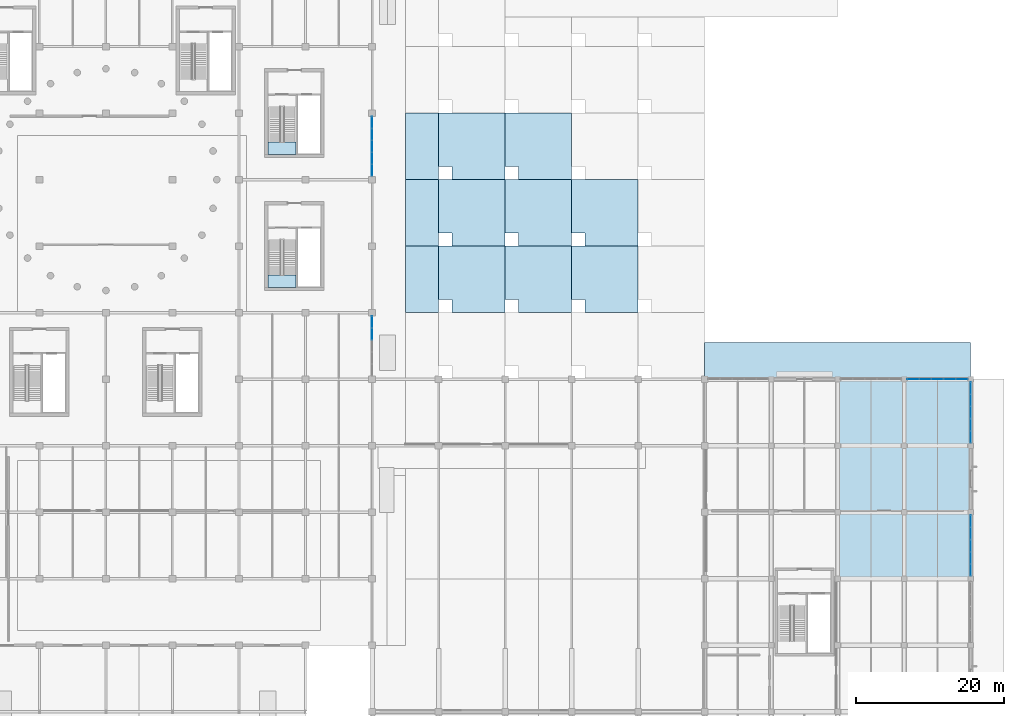
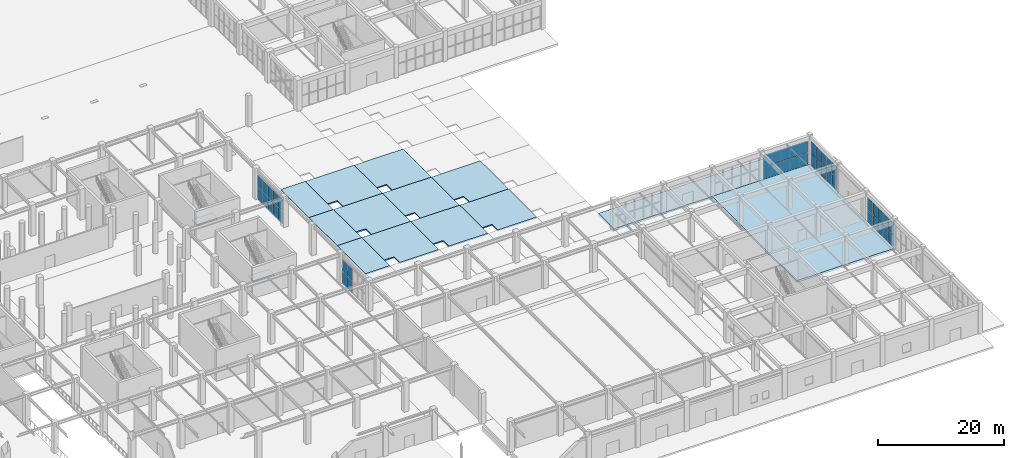
# One storey, part 55 of 91: 44 plates, 15 slabs, 7 elements without a shape of their own.
"""IFC4 building model written with IfcOpenShell, lengths in metres."""

import ifcopenshell
import ifcopenshell.guid

model = None  # the IFC model being written
_history = None  # IfcOwnerHistory: only IFC2X3 demands one
_inside = {}  # id of a spatial element -> (the spatial element, [elements in it])
_under = {}  # id of a project, library or spatial element -> (it, [spatial elements below it])
_declared = {}  # id of a project -> (the project, [libraries it declares])
_typed = {}  # id of a type object -> (the type object, [elements of that type])
_made_of = {}  # id of a material, layer set ... -> (it, [elements and type objects made of it])


def new_model(schema):
    """Start an empty IFC model of exactly this schema.

    Asked for "IFC4X3", IfcOpenShell would pick the latest addendum, in which some entities
    have other attributes; the version numbers below select the first issue.
    IFC2X3 requires an IfcOwnerHistory on every rooted entity: one is made here for all.
    """
    global model, _history
    if schema == "IFC4X3":
        model = ifcopenshell.file(schema_version=(4, 3, 0, 0))
    else:
        model = ifcopenshell.file(schema=schema)
    _inside.clear()
    _under.clear()
    _declared.clear()
    _typed.clear()
    _made_of.clear()
    _history = None
    if model.schema == "IFC2X3":
        org = make("IfcOrganization", Name="unknown")
        user = make(
            "IfcPersonAndOrganization",
            ThePerson=make("IfcPerson", FamilyName="unknown"),
            TheOrganization=org,
        )
        app = make(
            "IfcApplication",
            ApplicationDeveloper=org,
            Version="unknown",
            ApplicationFullName="unknown",
            ApplicationIdentifier="unknown",
        )
        _history = make(
            "IfcOwnerHistory",
            OwningUser=user,
            OwningApplication=app,
            ChangeAction="ADDED",
            CreationDate=0,
        )
    return model


def make(cls, **values):
    """One entity of the class cls with the attributes given. An attribute that is None is left unset."""
    return model.create_entity(
        cls, **{name: value for name, value in values.items() if value is not None}
    )


def rooted(cls, **values):
    """An entity with a GlobalId (a new one), such as an element, a storey or a relation."""
    return make(cls, GlobalId=ifcopenshell.guid.new(), OwnerHistory=_history, **values)


def si_unit(unit_type, name, prefix=None):
    """IfcSIUnit, for example si_unit("LENGTHUNIT", "METRE", prefix="MILLI")."""
    return make("IfcSIUnit", UnitType=unit_type, Prefix=prefix, Name=name)


def assignment(units):
    """IfcUnitAssignment: the units of a project."""
    return None if units is None else make("IfcUnitAssignment", Units=units)


def point(xyz):
    """IfcCartesianPoint."""
    return None if xyz is None else make("IfcCartesianPoint", Coordinates=xyz)


def direction(xyz):
    """IfcDirection."""
    return None if xyz is None else make("IfcDirection", DirectionRatios=xyz)


def frame(location, z_axis=None, x_axis=None):
    """IfcAxis2Placement3D, a coordinate frame: its origin and axes. An axis left out is left unset."""
    return make(
        "IfcAxis2Placement3D",
        Location=point(location),
        Axis=direction(z_axis),
        RefDirection=direction(x_axis),
    )


def frame_2d(location, x_axis=None):
    """IfcAxis2Placement2D, a coordinate frame in the plane: its origin and x axis."""
    return make(
        "IfcAxis2Placement2D", Location=point(location), RefDirection=direction(x_axis)
    )


def origin():
    """The frame at (0, 0, 0) with its axes left unset."""
    return frame((0.0, 0.0, 0.0))


def origin_2d():
    """The frame at (0, 0) in the plane with its x axis left unset."""
    return frame_2d((0.0, 0.0))


def place(relative_to, where):
    """IfcLocalPlacement: puts the frame where relative to a parent placement (None: the world)."""
    return make(
        "IfcLocalPlacement", PlacementRelTo=relative_to, RelativePlacement=where
    )


def context(
    kind, dimensions, precision=None, world=None, true_north=None, identifier=None
):
    """IfcGeometricRepresentationContext, for example the 3D "Model" context."""
    return make(
        "IfcGeometricRepresentationContext",
        ContextIdentifier=identifier,
        ContextType=kind,
        CoordinateSpaceDimension=dimensions,
        Precision=precision,
        WorldCoordinateSystem=world,
        TrueNorth=true_north,
    )


def subcontext(parent, identifier, kind, view, scale=None):
    """IfcGeometricRepresentationSubContext, for example "Body" below "Model"."""
    return make(
        "IfcGeometricRepresentationSubContext",
        ContextIdentifier=identifier,
        ContextType=kind,
        ParentContext=parent,
        TargetScale=scale,
        TargetView=view,
    )


def project(units=None, contexts=None):
    """IfcProject with its units and contexts."""
    return rooted(
        "IfcProject",
        Name="project",
        RepresentationContexts=contexts,
        UnitsInContext=assignment(units),
    )


def spatial(cls, under=None, at=None, **own):
    """A site, building, storey or space (cls), placed at a placement, below another one or the project."""
    s = rooted(cls, ObjectPlacement=at, **own)
    if under is not None:
        _under.setdefault(under.id(), (under, []))[1].append(s)
    return s


def polyline(points):
    """IfcPolyline through the points."""
    return make("IfcPolyline", Points=[point(p) for p in points])


def profile(cls, at=None, kind="AREA", **sizes):
    """A parametric profile (cls). Its sizes go by their IFC names, for example OverallWidth=200.0."""
    return make(cls, ProfileType=kind, Position=at, **sizes)


def rectangle(**sizes):
    """IfcRectangleProfileDef."""
    return profile("IfcRectangleProfileDef", **sizes)


def outline(outer, holes=None, kind="AREA"):
    """IfcArbitraryClosedProfileDef: a profile drawn as a closed curve; with holes, ...WithVoids."""
    if holes is None:
        return make("IfcArbitraryClosedProfileDef", ProfileType=kind, OuterCurve=outer)
    return make(
        "IfcArbitraryProfileDefWithVoids",
        ProfileType=kind,
        OuterCurve=outer,
        InnerCurves=holes,
    )


def extrude(swept, where, along, depth):
    """IfcExtrudedAreaSolid: the profile swept, set in the frame where, extruded along a direction by depth."""
    return make(
        "IfcExtrudedAreaSolid",
        SweptArea=swept,
        Position=where,
        ExtrudedDirection=direction(along),
        Depth=depth,
    )


def shape(context_of_items, identifier, shape_type, items):
    """IfcShapeRepresentation: the items that make up one representation, for example the "Body"."""
    return make(
        "IfcShapeRepresentation",
        ContextOfItems=context_of_items,
        RepresentationIdentifier=identifier,
        RepresentationType=shape_type,
        Items=items,
    )


def material(Name=None, Category=None):
    """IfcMaterial."""
    return make("IfcMaterial", Name=Name, Category=Category)


def layer(
    of_material, thickness, ventilated=None, Name=None, Category=None, Priority=None
):
    """IfcMaterialLayer: one layer of a wall or slab, of a material (None: an air gap)."""
    return make(
        "IfcMaterialLayer",
        Material=of_material,
        LayerThickness=thickness,
        IsVentilated=ventilated,
        Name=Name,
        Category=Category,
        Priority=Priority,
    )


def layer_set(layers, Name=None):
    """IfcMaterialLayerSet."""
    return make("IfcMaterialLayerSet", MaterialLayers=layers, LayerSetName=Name)


def made_of(thing, what):
    """Note that an element or type object is made of a material, layer set ...; save() writes the relation."""
    if what is not None:
        _made_of.setdefault(what.id(), (what, []))[1].append(thing)
    return thing


def type_object(cls, material=None, **own):
    """A type object (cls), such as IfcWallType, which elements share."""
    return made_of(rooted(cls, **own), material)


def element(
    cls,
    number,
    at=None,
    inside=None,
    cuts=None,
    type_object=None,
    material=None,
    context=None,
    identifier="Body",
    shape_type=None,
    held_by="IfcProductDefinitionShape",
    body=None,
    shapes=None,
    **own,
):
    """One element of the class cls, such as IfcWall. Its Tag is "e" and its number.

    at: its placement. inside: the storey or other place that contains it. cuts: it is an
    opening in that element (IfcRelVoidsElement). A single representation is given by context,
    identifier, shape_type and body (its items); several are given by shapes. held_by: the class
    of the entity that holds the representations. save() writes the other relations.
    """
    e = rooted(cls, Tag="e%d" % number, ObjectPlacement=at, **own)
    if body is not None:
        shapes = [shape(context, identifier, shape_type, body)]
    if shapes is not None:
        e.Representation = make(held_by, Representations=shapes)
    if inside is not None:
        _inside.setdefault(inside.id(), (inside, []))[1].append(e)
    if cuts is not None:
        rooted(
            "IfcRelVoidsElement", RelatingBuildingElement=cuts, RelatedOpeningElement=e
        )
    if type_object is not None:
        _typed.setdefault(type_object.id(), (type_object, []))[1].append(e)
    return made_of(e, material)


def aggregate(whole, parts):
    """IfcRelAggregates: a whole, such as a stair, and the parts it consists of."""
    return rooted("IfcRelAggregates", RelatingObject=whole, RelatedObjects=parts)


def save(model, path):
    """Write the relations noted so far, then the file.

    IfcRelAggregates (storeys below a building ...), IfcRelContainedInSpatialStructure (elements
    in a storey), IfcRelDefinesByType, IfcRelAssociatesMaterial and IfcRelDeclares: one each for
    every whole, place, type object, material and project.
    """
    for whole, parts in _under.values():
        aggregate(whole, parts)
    for where, things in _inside.values():
        rooted(
            "IfcRelContainedInSpatialStructure",
            RelatedElements=things,
            RelatingStructure=where,
        )
    for kind, things in _typed.values():
        rooted("IfcRelDefinesByType", RelatedObjects=things, RelatingType=kind)
    for what, things in _made_of.values():
        rooted("IfcRelAssociatesMaterial", RelatedObjects=things, RelatingMaterial=what)
    for by, libraries in _declared.values():
        rooted("IfcRelDeclares", RelatingContext=by, RelatedDefinitions=libraries)
    model.write(path)


model = new_model("IFC4")

# Units and contexts
model_context = context("Model", 3, precision=1e-05, world=origin(), true_north=direction((0.0, 1.0)))
body_context = subcontext(model_context, "Body", "Model", "MODEL_VIEW")
ifc_project = project(units=[si_unit("LENGTHUNIT", "METRE"), si_unit("AREAUNIT", "SQUARE_METRE"), si_unit("VOLUMEUNIT", "CUBIC_METRE"), si_unit("PLANEANGLEUNIT", "RADIAN"), si_unit("MASSUNIT", "GRAM", prefix="KILO")], contexts=[model_context])

# Site, building, storey
site_placement = place(None, origin())
site = spatial("IfcSite", under=ifc_project, at=site_placement, CompositionType="ELEMENT")
building_placement = place(site_placement, origin())
building = spatial("IfcBuilding", under=site, at=building_placement, Name="Dornveld Trade and Exhibition Forum", CompositionType="ELEMENT")
storey_placement = place(building_placement, origin())
storey = spatial("IfcBuildingStorey", under=building, at=storey_placement, Name="L00", CompositionType="ELEMENT", Elevation=0.0)

# Curtain wall, plates
ifc_material_1 = material(Name="Dark-bronze anodised aluminium and low-E glass", Category="aluminium")
ifc_layer_1 = layer(ifc_material_1, 0.154052734375)
ifc_layer_set_1 = layer_set([ifc_layer_1], Name="Dark-bronze anodised aluminium and low-E glass")
curtain_wall_type_1 = type_object("IfcCurtainWallType", Name="CW-SYS-04", PredefinedType="USERDEFINED", material=ifc_layer_set_1)
curtain_wall_1_placement = place(storey_placement, origin())
curtain_wall_1 = element("IfcCurtainWall", 1, at=curtain_wall_1_placement, inside=storey, type_object=curtain_wall_type_1, Name="L00 unitised curtain wall 58", ObjectType="UNITISED_CURTAIN_WALL", PredefinedType="USERDEFINED")
ifc_material_2 = material(Name="Double-glazed low-E solar control glass", Category="glass")
ifc_layer_2 = layer(ifc_material_2, 0.028076171875)
ifc_layer_set_2 = layer_set([ifc_layer_2], Name="Double-glazed low-E solar control glass")
plate_type_1 = type_object("IfcPlateType", Name="CW-PNL-02", PredefinedType="CURTAIN_PANEL", material=ifc_layer_set_2)
plate_1_placement = place(storey_placement, frame((153.0, 60.12158203125, 0.055908203125), z_axis=(0.0, 0.0, 1.0), x_axis=(0.0, 1.0, 0.0)))
plate_1 = element("IfcPlate", 2, at=plate_1_placement, type_object=plate_type_1, Name="CW-04 panel 4.1", PredefinedType="CURTAIN_PANEL", context=body_context, shape_type="SweptSolid", body=[
    extrude(rectangle(XDim=1.5615234375, YDim=0.028076171875, at=origin_2d()), origin(), (0.0, 0.0, 1.0), 2.2919921875),
])
plate_2_placement = place(storey_placement, frame((153.0, 60.12158203125, 2.407958984375), z_axis=(0.0, 0.0, 1.0), x_axis=(0.0, 1.0, 0.0)))
plate_2 = element("IfcPlate", 3, at=plate_2_placement, type_object=plate_type_1, Name="CW-04 panel 4.2", PredefinedType="CURTAIN_PANEL", context=body_context, shape_type="SweptSolid", body=[
    extrude(rectangle(XDim=1.5615234375, YDim=0.028076171875, at=origin_2d()), origin(), (0.0, 0.0, 1.0), 2.2919921875),
])
plate_3_placement = place(storey_placement, frame((153.0, 61.728271484375, 0.055908203125), z_axis=(0.0, 0.0, 1.0), x_axis=(0.0, 1.0, 0.0)))
plate_3 = element("IfcPlate", 4, at=plate_3_placement, type_object=plate_type_1, Name="CW-04 panel 5.1", PredefinedType="CURTAIN_PANEL", context=body_context, shape_type="SweptSolid", body=[
    extrude(rectangle(XDim=1.531494140625, YDim=0.028076171875, at=origin_2d()), origin(), (0.0, 0.0, 1.0), 2.2919921875),
])
plate_4_placement = place(storey_placement, frame((153.0, 61.728271484375, 2.407958984375), z_axis=(0.0, 0.0, 1.0), x_axis=(0.0, 1.0, 0.0)))
plate_4 = element("IfcPlate", 5, at=plate_4_placement, type_object=plate_type_1, Name="CW-04 panel 5.2", PredefinedType="CURTAIN_PANEL", context=body_context, shape_type="SweptSolid", body=[
    extrude(rectangle(XDim=1.531494140625, YDim=0.028076171875, at=origin_2d()), origin(), (0.0, 0.0, 1.0), 2.2919921875),
])
aggregate(curtain_wall_1, [plate_1, plate_2, plate_3, plate_4])

ifc_material_3 = material(Name="Dark-bronze anodised aluminium and low-E glass", Category="aluminium")
ifc_layer_3 = layer(ifc_material_3, 0.156982421875)
ifc_layer_set_3 = layer_set([ifc_layer_3], Name="Dark-bronze anodised aluminium and low-E glass")
curtain_wall_type_2 = type_object("IfcCurtainWallType", Name="CW-SYS-05", PredefinedType="USERDEFINED", material=ifc_layer_set_3)
curtain_wall_2_placement = place(storey_placement, origin())
curtain_wall_2 = element("IfcCurtainWall", 6, at=curtain_wall_2_placement, inside=storey, type_object=curtain_wall_type_2, Name="L00 unitised curtain wall 59", ObjectType="UNITISED_CURTAIN_WALL", PredefinedType="USERDEFINED")
ifc_material_4 = material(Name="Double-glazed low-E solar control glass", Category="glass")
ifc_layer_4 = layer(ifc_material_4, 0.030029296875)
ifc_layer_set_4 = layer_set([ifc_layer_4], Name="Double-glazed low-E solar control glass")
plate_type_2 = type_object("IfcPlateType", Name="CW-PNL-03", PredefinedType="CURTAIN_PANEL", material=ifc_layer_set_4)
plate_5_placement = place(storey_placement, frame((153.0, 82.271728515625, 0.055908203125), z_axis=(0.0, 0.0, 1.0), x_axis=(0.0, 1.0, 0.0)))
plate_5 = element("IfcPlate", 7, at=plate_5_placement, type_object=plate_type_2, Name="CW-05 panel 1.1", PredefinedType="CURTAIN_PANEL", context=body_context, shape_type="SweptSolid", body=[
    extrude(rectangle(XDim=1.531494140625, YDim=0.030029296875, at=origin_2d()), origin(), (0.0, 0.0, 1.0), 2.2919921875),
])
plate_6_placement = place(storey_placement, frame((153.0, 82.271728515625, 2.407958984375), z_axis=(0.0, 0.0, 1.0), x_axis=(0.0, 1.0, 0.0)))
plate_6 = element("IfcPlate", 8, at=plate_6_placement, type_object=plate_type_2, Name="CW-05 panel 1.2", PredefinedType="CURTAIN_PANEL", context=body_context, shape_type="SweptSolid", body=[
    extrude(rectangle(XDim=1.531494140625, YDim=0.030029296875, at=origin_2d()), origin(), (0.0, 0.0, 1.0), 2.2919921875),
])
plate_7_placement = place(storey_placement, frame((153.0, 83.87841796875, 0.055908203125), z_axis=(0.0, 0.0, 1.0), x_axis=(0.0, 1.0, 0.0)))
plate_7 = element("IfcPlate", 9, at=plate_7_placement, type_object=plate_type_2, Name="CW-05 panel 2.1", PredefinedType="CURTAIN_PANEL", context=body_context, shape_type="SweptSolid", body=[
    extrude(rectangle(XDim=1.5615234375, YDim=0.030029296875, at=origin_2d()), origin(), (0.0, 0.0, 1.0), 2.2919921875),
])
plate_8_placement = place(storey_placement, frame((153.0, 83.87841796875, 2.407958984375), z_axis=(0.0, 0.0, 1.0), x_axis=(0.0, 1.0, 0.0)))
plate_8 = element("IfcPlate", 10, at=plate_8_placement, type_object=plate_type_2, Name="CW-05 panel 2.2", PredefinedType="CURTAIN_PANEL", context=body_context, shape_type="SweptSolid", body=[
    extrude(rectangle(XDim=1.5615234375, YDim=0.030029296875, at=origin_2d()), origin(), (0.0, 0.0, 1.0), 2.2919921875),
])
plate_9_placement = place(storey_placement, frame((153.0, 85.5, 0.055908203125), z_axis=(0.0, 0.0, 1.0), x_axis=(0.0, 1.0, 0.0)))
plate_9 = element("IfcPlate", 11, at=plate_9_placement, type_object=plate_type_2, Name="CW-05 panel 3.1", PredefinedType="CURTAIN_PANEL", context=body_context, shape_type="SweptSolid", body=[
    extrude(rectangle(XDim=1.5615234375, YDim=0.030029296875, at=origin_2d()), origin(), (0.0, 0.0, 1.0), 2.2919921875),
])
plate_10_placement = place(storey_placement, frame((153.0, 85.5, 2.407958984375), z_axis=(0.0, 0.0, 1.0), x_axis=(0.0, 1.0, 0.0)))
plate_10 = element("IfcPlate", 12, at=plate_10_placement, type_object=plate_type_2, Name="CW-05 panel 3.2", PredefinedType="CURTAIN_PANEL", context=body_context, shape_type="SweptSolid", body=[
    extrude(rectangle(XDim=1.5615234375, YDim=0.030029296875, at=origin_2d()), origin(), (0.0, 0.0, 1.0), 2.2919921875),
])
plate_11_placement = place(storey_placement, frame((153.0, 87.12158203125, 0.055908203125), z_axis=(0.0, 0.0, 1.0), x_axis=(0.0, 1.0, 0.0)))
plate_11 = element("IfcPlate", 13, at=plate_11_placement, type_object=plate_type_2, Name="CW-05 panel 4.1", PredefinedType="CURTAIN_PANEL", context=body_context, shape_type="SweptSolid", body=[
    extrude(rectangle(XDim=1.5615234375, YDim=0.030029296875, at=origin_2d()), origin(), (0.0, 0.0, 1.0), 2.2919921875),
])
plate_12_placement = place(storey_placement, frame((153.0, 87.12158203125, 2.407958984375), z_axis=(0.0, 0.0, 1.0), x_axis=(0.0, 1.0, 0.0)))
plate_12 = element("IfcPlate", 14, at=plate_12_placement, type_object=plate_type_2, Name="CW-05 panel 4.2", PredefinedType="CURTAIN_PANEL", context=body_context, shape_type="SweptSolid", body=[
    extrude(rectangle(XDim=1.5615234375, YDim=0.030029296875, at=origin_2d()), origin(), (0.0, 0.0, 1.0), 2.2919921875),
])
plate_13_placement = place(storey_placement, frame((153.0, 88.728271484375, 0.055908203125), z_axis=(0.0, 0.0, 1.0), x_axis=(0.0, 1.0, 0.0)))
plate_13 = element("IfcPlate", 15, at=plate_13_placement, type_object=plate_type_2, Name="CW-05 panel 5.1", PredefinedType="CURTAIN_PANEL", context=body_context, shape_type="SweptSolid", body=[
    extrude(rectangle(XDim=1.531494140625, YDim=0.030029296875, at=origin_2d()), origin(), (0.0, 0.0, 1.0), 2.2919921875),
])
plate_14_placement = place(storey_placement, frame((153.0, 88.728271484375, 2.407958984375), z_axis=(0.0, 0.0, 1.0), x_axis=(0.0, 1.0, 0.0)))
plate_14 = element("IfcPlate", 16, at=plate_14_placement, type_object=plate_type_2, Name="CW-05 panel 5.2", PredefinedType="CURTAIN_PANEL", context=body_context, shape_type="SweptSolid", body=[
    extrude(rectangle(XDim=1.531494140625, YDim=0.030029296875, at=origin_2d()), origin(), (0.0, 0.0, 1.0), 2.2919921875),
])
aggregate(curtain_wall_2, [plate_5, plate_6, plate_7, plate_8, plate_9, plate_10, plate_11, plate_12, plate_13, plate_14])

ifc_material_5 = material(Name="Dark-bronze anodised aluminium and low-E glass", Category="aluminium")
ifc_layer_5 = layer(ifc_material_5, 0.18408203125)
ifc_layer_set_5 = layer_set([ifc_layer_5], Name="Dark-bronze anodised aluminium and low-E glass")
curtain_wall_type_3 = type_object("IfcCurtainWallType", Name="CW-SYS-14", PredefinedType="USERDEFINED", material=ifc_layer_set_5)
curtain_wall_3_placement = place(storey_placement, origin())
curtain_wall_3 = element("IfcCurtainWall", 17, at=curtain_wall_3_placement, inside=storey, type_object=curtain_wall_type_3, Name="L00 unitised curtain wall 68", ObjectType="UNITISED_CURTAIN_WALL", PredefinedType="USERDEFINED")
ifc_material_6 = material(Name="Double-glazed low-E solar control glass", Category="glass")
ifc_layer_6 = layer(ifc_material_6, 0.031982421875)
ifc_layer_set_6 = layer_set([ifc_layer_6], Name="Double-glazed low-E solar control glass")
plate_type_3 = type_object("IfcPlateType", Name="CW-PNL-04", PredefinedType="CURTAIN_PANEL", material=ifc_layer_set_6)
plate_15_placement = place(storey_placement, frame((234.0, 28.2119140625, 0.055908203125), z_axis=(0.0, 0.0, 1.0), x_axis=(0.0, 1.0, 0.0)))
plate_15 = element("IfcPlate", 18, at=plate_15_placement, type_object=plate_type_3, Name="CW-14 panel 1.1", PredefinedType="CURTAIN_PANEL", context=body_context, shape_type="SweptSolid", body=[
    extrude(rectangle(XDim=1.5615234375, YDim=0.031982421875, at=origin_2d()), origin(), (0.0, 0.0, 1.0), 2.2919921875),
])
plate_16_placement = place(storey_placement, frame((234.0, 28.2119140625, 2.407958984375), z_axis=(0.0, 0.0, 1.0), x_axis=(0.0, 1.0, 0.0)))
plate_16 = element("IfcPlate", 19, at=plate_16_placement, type_object=plate_type_3, Name="CW-14 panel 1.2", PredefinedType="CURTAIN_PANEL", context=body_context, shape_type="SweptSolid", body=[
    extrude(rectangle(XDim=1.5615234375, YDim=0.031982421875, at=origin_2d()), origin(), (0.0, 0.0, 1.0), 2.2919921875),
])
plate_17_placement = place(storey_placement, frame((234.0, 29.848388671875, 0.055908203125), z_axis=(0.0, 0.0, 1.0), x_axis=(0.0, 1.0, 0.0)))
plate_17 = element("IfcPlate", 20, at=plate_17_placement, type_object=plate_type_3, Name="CW-14 panel 2.1", PredefinedType="CURTAIN_PANEL", context=body_context, shape_type="SweptSolid", body=[
    extrude(rectangle(XDim=1.591552734375, YDim=0.031982421875, at=origin_2d()), origin(), (0.0, 0.0, 1.0), 2.2919921875),
])
plate_18_placement = place(storey_placement, frame((234.0, 29.848388671875, 2.407958984375), z_axis=(0.0, 0.0, 1.0), x_axis=(0.0, 1.0, 0.0)))
plate_18 = element("IfcPlate", 21, at=plate_18_placement, type_object=plate_type_3, Name="CW-14 panel 2.2", PredefinedType="CURTAIN_PANEL", context=body_context, shape_type="SweptSolid", body=[
    extrude(rectangle(XDim=1.591552734375, YDim=0.031982421875, at=origin_2d()), origin(), (0.0, 0.0, 1.0), 2.2919921875),
])
plate_19_placement = place(storey_placement, frame((234.0, 31.5, 0.055908203125), z_axis=(0.0, 0.0, 1.0), x_axis=(0.0, 1.0, 0.0)))
plate_19 = element("IfcPlate", 22, at=plate_19_placement, type_object=plate_type_3, Name="CW-14 panel 3.1", PredefinedType="CURTAIN_PANEL", context=body_context, shape_type="SweptSolid", body=[
    extrude(rectangle(XDim=1.591552734375, YDim=0.031982421875, at=origin_2d()), origin(), (0.0, 0.0, 1.0), 2.2919921875),
])
plate_20_placement = place(storey_placement, frame((234.0, 31.5, 2.407958984375), z_axis=(0.0, 0.0, 1.0), x_axis=(0.0, 1.0, 0.0)))
plate_20 = element("IfcPlate", 23, at=plate_20_placement, type_object=plate_type_3, Name="CW-14 panel 3.2", PredefinedType="CURTAIN_PANEL", context=body_context, shape_type="SweptSolid", body=[
    extrude(rectangle(XDim=1.591552734375, YDim=0.031982421875, at=origin_2d()), origin(), (0.0, 0.0, 1.0), 2.2919921875),
])
plate_21_placement = place(storey_placement, frame((234.0, 33.151611328125, 0.055908203125), z_axis=(0.0, 0.0, 1.0), x_axis=(0.0, 1.0, 0.0)))
plate_21 = element("IfcPlate", 24, at=plate_21_placement, type_object=plate_type_3, Name="CW-14 panel 4.1", PredefinedType="CURTAIN_PANEL", context=body_context, shape_type="SweptSolid", body=[
    extrude(rectangle(XDim=1.591552734375, YDim=0.031982421875, at=origin_2d()), origin(), (0.0, 0.0, 1.0), 2.2919921875),
])
plate_22_placement = place(storey_placement, frame((234.0, 33.151611328125, 2.407958984375), z_axis=(0.0, 0.0, 1.0), x_axis=(0.0, 1.0, 0.0)))
plate_22 = element("IfcPlate", 25, at=plate_22_placement, type_object=plate_type_3, Name="CW-14 panel 4.2", PredefinedType="CURTAIN_PANEL", context=body_context, shape_type="SweptSolid", body=[
    extrude(rectangle(XDim=1.591552734375, YDim=0.031982421875, at=origin_2d()), origin(), (0.0, 0.0, 1.0), 2.2919921875),
])
plate_23_placement = place(storey_placement, frame((234.0, 34.7880859375, 0.055908203125), z_axis=(0.0, 0.0, 1.0), x_axis=(0.0, 1.0, 0.0)))
plate_23 = element("IfcPlate", 26, at=plate_23_placement, type_object=plate_type_3, Name="CW-14 panel 5.1", PredefinedType="CURTAIN_PANEL", context=body_context, shape_type="SweptSolid", body=[
    extrude(rectangle(XDim=1.5615234375, YDim=0.031982421875, at=origin_2d()), origin(), (0.0, 0.0, 1.0), 2.2919921875),
])
plate_24_placement = place(storey_placement, frame((234.0, 34.7880859375, 2.407958984375), z_axis=(0.0, 0.0, 1.0), x_axis=(0.0, 1.0, 0.0)))
plate_24 = element("IfcPlate", 27, at=plate_24_placement, type_object=plate_type_3, Name="CW-14 panel 5.2", PredefinedType="CURTAIN_PANEL", context=body_context, shape_type="SweptSolid", body=[
    extrude(rectangle(XDim=1.5615234375, YDim=0.031982421875, at=origin_2d()), origin(), (0.0, 0.0, 1.0), 2.2919921875),
])
aggregate(curtain_wall_3, [plate_15, plate_16, plate_17, plate_18, plate_19, plate_20, plate_21, plate_22, plate_23, plate_24])

ifc_material_7 = material(Name="Dark-bronze anodised aluminium and low-E glass", Category="aluminium")
ifc_layer_7 = layer(ifc_material_7, 0.18701171875)
ifc_layer_set_7 = layer_set([ifc_layer_7], Name="Dark-bronze anodised aluminium and low-E glass")
curtain_wall_type_4 = type_object("IfcCurtainWallType", Name="CW-SYS-15", PredefinedType="USERDEFINED", material=ifc_layer_set_7)
curtain_wall_4_placement = place(storey_placement, origin())
curtain_wall_4 = element("IfcCurtainWall", 28, at=curtain_wall_4_placement, inside=storey, type_object=curtain_wall_type_4, Name="L00 unitised curtain wall 69", ObjectType="UNITISED_CURTAIN_WALL", PredefinedType="USERDEFINED")
ifc_material_8 = material(Name="Double-glazed low-E solar control glass", Category="glass")
ifc_layer_8 = layer(ifc_material_8, 0.033935546875)
ifc_layer_set_8 = layer_set([ifc_layer_8], Name="Double-glazed low-E solar control glass")
plate_type_4 = type_object("IfcPlateType", Name="CW-PNL-05", PredefinedType="CURTAIN_PANEL", material=ifc_layer_set_8)
plate_25_placement = place(storey_placement, frame((234.0, 46.2119140625, 0.055908203125), z_axis=(0.0, 0.0, 1.0), x_axis=(0.0, 1.0, 0.0)))
plate_25 = element("IfcPlate", 29, at=plate_25_placement, type_object=plate_type_4, Name="CW-15 panel 1.1", PredefinedType="CURTAIN_PANEL", context=body_context, shape_type="SweptSolid", body=[
    extrude(rectangle(XDim=1.5615234375, YDim=0.033935546875, at=origin_2d()), origin(), (0.0, 0.0, 1.0), 2.2919921875),
])
plate_26_placement = place(storey_placement, frame((234.0, 46.2119140625, 2.407958984375), z_axis=(0.0, 0.0, 1.0), x_axis=(0.0, 1.0, 0.0)))
plate_26 = element("IfcPlate", 30, at=plate_26_placement, type_object=plate_type_4, Name="CW-15 panel 1.2", PredefinedType="CURTAIN_PANEL", context=body_context, shape_type="SweptSolid", body=[
    extrude(rectangle(XDim=1.5615234375, YDim=0.033935546875, at=origin_2d()), origin(), (0.0, 0.0, 1.0), 2.2919921875),
])
plate_27_placement = place(storey_placement, frame((234.0, 47.848388671875, 0.055908203125), z_axis=(0.0, 0.0, 1.0), x_axis=(0.0, 1.0, 0.0)))
plate_27 = element("IfcPlate", 31, at=plate_27_placement, type_object=plate_type_4, Name="CW-15 panel 2.1", PredefinedType="CURTAIN_PANEL", context=body_context, shape_type="SweptSolid", body=[
    extrude(rectangle(XDim=1.591552734375, YDim=0.033935546875, at=origin_2d()), origin(), (0.0, 0.0, 1.0), 2.2919921875),
])
plate_28_placement = place(storey_placement, frame((234.0, 47.848388671875, 2.407958984375), z_axis=(0.0, 0.0, 1.0), x_axis=(0.0, 1.0, 0.0)))
plate_28 = element("IfcPlate", 32, at=plate_28_placement, type_object=plate_type_4, Name="CW-15 panel 2.2", PredefinedType="CURTAIN_PANEL", context=body_context, shape_type="SweptSolid", body=[
    extrude(rectangle(XDim=1.591552734375, YDim=0.033935546875, at=origin_2d()), origin(), (0.0, 0.0, 1.0), 2.2919921875),
])
plate_29_placement = place(storey_placement, frame((234.0, 49.5, 0.055908203125), z_axis=(0.0, 0.0, 1.0), x_axis=(0.0, 1.0, 0.0)))
plate_29 = element("IfcPlate", 33, at=plate_29_placement, type_object=plate_type_4, Name="CW-15 panel 3.1", PredefinedType="CURTAIN_PANEL", context=body_context, shape_type="SweptSolid", body=[
    extrude(rectangle(XDim=1.591552734375, YDim=0.033935546875, at=origin_2d()), origin(), (0.0, 0.0, 1.0), 2.2919921875),
])
plate_30_placement = place(storey_placement, frame((234.0, 49.5, 2.407958984375), z_axis=(0.0, 0.0, 1.0), x_axis=(0.0, 1.0, 0.0)))
plate_30 = element("IfcPlate", 34, at=plate_30_placement, type_object=plate_type_4, Name="CW-15 panel 3.2", PredefinedType="CURTAIN_PANEL", context=body_context, shape_type="SweptSolid", body=[
    extrude(rectangle(XDim=1.591552734375, YDim=0.033935546875, at=origin_2d()), origin(), (0.0, 0.0, 1.0), 2.2919921875),
])
plate_31_placement = place(storey_placement, frame((234.0, 51.151611328125, 0.055908203125), z_axis=(0.0, 0.0, 1.0), x_axis=(0.0, 1.0, 0.0)))
plate_31 = element("IfcPlate", 35, at=plate_31_placement, type_object=plate_type_4, Name="CW-15 panel 4.1", PredefinedType="CURTAIN_PANEL", context=body_context, shape_type="SweptSolid", body=[
    extrude(rectangle(XDim=1.591552734375, YDim=0.033935546875, at=origin_2d()), origin(), (0.0, 0.0, 1.0), 2.2919921875),
])
plate_32_placement = place(storey_placement, frame((234.0, 51.151611328125, 2.407958984375), z_axis=(0.0, 0.0, 1.0), x_axis=(0.0, 1.0, 0.0)))
plate_32 = element("IfcPlate", 36, at=plate_32_placement, type_object=plate_type_4, Name="CW-15 panel 4.2", PredefinedType="CURTAIN_PANEL", context=body_context, shape_type="SweptSolid", body=[
    extrude(rectangle(XDim=1.591552734375, YDim=0.033935546875, at=origin_2d()), origin(), (0.0, 0.0, 1.0), 2.2919921875),
])
plate_33_placement = place(storey_placement, frame((234.0, 52.7880859375, 0.055908203125), z_axis=(0.0, 0.0, 1.0), x_axis=(0.0, 1.0, 0.0)))
plate_33 = element("IfcPlate", 37, at=plate_33_placement, type_object=plate_type_4, Name="CW-15 panel 5.1", PredefinedType="CURTAIN_PANEL", context=body_context, shape_type="SweptSolid", body=[
    extrude(rectangle(XDim=1.5615234375, YDim=0.033935546875, at=origin_2d()), origin(), (0.0, 0.0, 1.0), 2.2919921875),
])
plate_34_placement = place(storey_placement, frame((234.0, 52.7880859375, 2.407958984375), z_axis=(0.0, 0.0, 1.0), x_axis=(0.0, 1.0, 0.0)))
plate_34 = element("IfcPlate", 38, at=plate_34_placement, type_object=plate_type_4, Name="CW-15 panel 5.2", PredefinedType="CURTAIN_PANEL", context=body_context, shape_type="SweptSolid", body=[
    extrude(rectangle(XDim=1.5615234375, YDim=0.033935546875, at=origin_2d()), origin(), (0.0, 0.0, 1.0), 2.2919921875),
])
aggregate(curtain_wall_4, [plate_25, plate_26, plate_27, plate_28, plate_29, plate_30, plate_31, plate_32, plate_33, plate_34])

curtain_wall_5_placement = place(storey_placement, origin())
curtain_wall_5 = element("IfcCurtainWall", 39, at=curtain_wall_5_placement, inside=storey, type_object=curtain_wall_type_3, Name="L00 unitised curtain wall 86", ObjectType="UNITISED_CURTAIN_WALL", PredefinedType="USERDEFINED")
ifc_material_9 = material(Name="Double-glazed low-E solar control glass", Category="glass")
ifc_layer_9 = layer(ifc_material_9, 0.035888671875)
ifc_layer_set_9 = layer_set([ifc_layer_9], Name="Double-glazed low-E solar control glass")
plate_type_5 = type_object("IfcPlateType", Name="CW-PNL-06", PredefinedType="CURTAIN_PANEL", material=ifc_layer_set_9)
plate_35_placement = place(storey_placement, frame((232.7880859375, 54.0, 0.055908203125), z_axis=(0.0, 0.0, 1.0), x_axis=(-1.0, 0.0, 0.0)))
plate_35 = element("IfcPlate", 40, at=plate_35_placement, type_object=plate_type_5, Name="CW-14 panel 1.1", PredefinedType="CURTAIN_PANEL", context=body_context, shape_type="SweptSolid", body=[
    extrude(rectangle(XDim=1.5615234375, YDim=0.035888671875, at=origin_2d()), origin(), (0.0, 0.0, 1.0), 2.2919921875),
])
plate_36_placement = place(storey_placement, frame((232.7880859375, 54.0, 2.407958984375), z_axis=(0.0, 0.0, 1.0), x_axis=(-1.0, 0.0, 0.0)))
plate_36 = element("IfcPlate", 41, at=plate_36_placement, type_object=plate_type_5, Name="CW-14 panel 1.2", PredefinedType="CURTAIN_PANEL", context=body_context, shape_type="SweptSolid", body=[
    extrude(rectangle(XDim=1.5615234375, YDim=0.035888671875, at=origin_2d()), origin(), (0.0, 0.0, 1.0), 2.2919921875),
])
plate_37_placement = place(storey_placement, frame((231.151611328125, 54.0, 0.055908203125), z_axis=(0.0, 0.0, 1.0), x_axis=(-1.0, 0.0, 0.0)))
plate_37 = element("IfcPlate", 42, at=plate_37_placement, type_object=plate_type_5, Name="CW-14 panel 2.1", PredefinedType="CURTAIN_PANEL", context=body_context, shape_type="SweptSolid", body=[
    extrude(rectangle(XDim=1.591552734375, YDim=0.035888671875, at=origin_2d()), origin(), (0.0, 0.0, 1.0), 2.2919921875),
])
plate_38_placement = place(storey_placement, frame((231.151611328125, 54.0, 2.407958984375), z_axis=(0.0, 0.0, 1.0), x_axis=(-1.0, 0.0, 0.0)))
plate_38 = element("IfcPlate", 43, at=plate_38_placement, type_object=plate_type_5, Name="CW-14 panel 2.2", PredefinedType="CURTAIN_PANEL", context=body_context, shape_type="SweptSolid", body=[
    extrude(rectangle(XDim=1.591552734375, YDim=0.035888671875, at=origin_2d()), origin(), (0.0, 0.0, 1.0), 2.2919921875),
])
plate_39_placement = place(storey_placement, frame((229.5, 54.0, 0.055908203125), z_axis=(0.0, 0.0, 1.0), x_axis=(-1.0, 0.0, 0.0)))
plate_39 = element("IfcPlate", 44, at=plate_39_placement, type_object=plate_type_5, Name="CW-14 panel 3.1", PredefinedType="CURTAIN_PANEL", context=body_context, shape_type="SweptSolid", body=[
    extrude(rectangle(XDim=1.591552734375, YDim=0.035888671875, at=origin_2d()), origin(), (0.0, 0.0, 1.0), 2.2919921875),
])
plate_40_placement = place(storey_placement, frame((229.5, 54.0, 2.407958984375), z_axis=(0.0, 0.0, 1.0), x_axis=(-1.0, 0.0, 0.0)))
plate_40 = element("IfcPlate", 45, at=plate_40_placement, type_object=plate_type_5, Name="CW-14 panel 3.2", PredefinedType="CURTAIN_PANEL", context=body_context, shape_type="SweptSolid", body=[
    extrude(rectangle(XDim=1.591552734375, YDim=0.035888671875, at=origin_2d()), origin(), (0.0, 0.0, 1.0), 2.2919921875),
])
plate_41_placement = place(storey_placement, frame((227.848388671875, 54.0, 0.055908203125), z_axis=(0.0, 0.0, 1.0), x_axis=(-1.0, 0.0, 0.0)))
plate_41 = element("IfcPlate", 46, at=plate_41_placement, type_object=plate_type_5, Name="CW-14 panel 4.1", PredefinedType="CURTAIN_PANEL", context=body_context, shape_type="SweptSolid", body=[
    extrude(rectangle(XDim=1.591552734375, YDim=0.035888671875, at=origin_2d()), origin(), (0.0, 0.0, 1.0), 2.2919921875),
])
plate_42_placement = place(storey_placement, frame((227.848388671875, 54.0, 2.407958984375), z_axis=(0.0, 0.0, 1.0), x_axis=(-1.0, 0.0, 0.0)))
plate_42 = element("IfcPlate", 47, at=plate_42_placement, type_object=plate_type_5, Name="CW-14 panel 4.2", PredefinedType="CURTAIN_PANEL", context=body_context, shape_type="SweptSolid", body=[
    extrude(rectangle(XDim=1.591552734375, YDim=0.035888671875, at=origin_2d()), origin(), (0.0, 0.0, 1.0), 2.2919921875),
])
plate_43_placement = place(storey_placement, frame((226.2119140625, 54.0, 0.055908203125), z_axis=(0.0, 0.0, 1.0), x_axis=(-1.0, 0.0, 0.0)))
plate_43 = element("IfcPlate", 48, at=plate_43_placement, type_object=plate_type_5, Name="CW-14 panel 5.1", PredefinedType="CURTAIN_PANEL", context=body_context, shape_type="SweptSolid", body=[
    extrude(rectangle(XDim=1.5615234375, YDim=0.035888671875, at=origin_2d()), origin(), (0.0, 0.0, 1.0), 2.2919921875),
])
plate_44_placement = place(storey_placement, frame((226.2119140625, 54.0, 2.407958984375), z_axis=(0.0, 0.0, 1.0), x_axis=(-1.0, 0.0, 0.0)))
plate_44 = element("IfcPlate", 49, at=plate_44_placement, type_object=plate_type_5, Name="CW-14 panel 5.2", PredefinedType="CURTAIN_PANEL", context=body_context, shape_type="SweptSolid", body=[
    extrude(rectangle(XDim=1.5615234375, YDim=0.035888671875, at=origin_2d()), origin(), (0.0, 0.0, 1.0), 2.2919921875),
])
aggregate(curtain_wall_5, [plate_35, plate_36, plate_37, plate_38, plate_39, plate_40, plate_41, plate_42, plate_43, plate_44])

# Slabs
ifc_material_10 = material(Name="Precast concrete C50/60", Category="concrete")
ifc_layer_10 = layer(ifc_material_10, 0.22998046875)
ifc_layer_set_10 = layer_set([ifc_layer_10], Name="Precast concrete C50/60")
slab_type_1 = type_object("IfcSlabType", Name="SL-EXT-02", PredefinedType="BASESLAB", material=ifc_layer_set_10)
slab_1_placement = place(storey_placement, frame((0.0, 0.0, -0.22998046875)))
element("IfcSlab", 50, at=slab_1_placement, inside=storey, type_object=slab_type_1, Name="Walled Park Garden Court granite paving bay 1.2", PredefinedType="BASESLAB", context=body_context, shape_type="SweptSolid", body=[
    extrude(outline(polyline([(162.0, 72.0), (162.0, 63.0), (157.501953125, 63.0), (157.501953125, 72.0), (162.0, 72.0)])), origin(), (0.0, 0.0, 1.0), 0.22998046875),
])
slab_2_placement = place(storey_placement, frame((0.0, 0.0, -0.22998046875)))
element("IfcSlab", 51, at=slab_2_placement, inside=storey, type_object=slab_type_1, Name="Walled Park Garden Court granite paving bay 1.3", PredefinedType="BASESLAB", context=body_context, shape_type="SweptSolid", body=[
    extrude(outline(polyline([(162.0, 81.0), (162.0, 72.0), (157.501953125, 72.0), (157.501953125, 81.0), (162.0, 81.0)])), origin(), (0.0, 0.0, 1.0), 0.22998046875),
])
slab_3_placement = place(storey_placement, frame((0.0, 0.0, -0.22998046875)))
element("IfcSlab", 52, at=slab_3_placement, inside=storey, type_object=slab_type_1, Name="Walled Park Garden Court granite paving bay 1.4", PredefinedType="BASESLAB", context=body_context, shape_type="SweptSolid", body=[
    extrude(outline(polyline([(162.0, 90.0), (162.0, 81.0), (157.501953125, 81.0), (157.501953125, 90.0), (162.0, 90.0)])), origin(), (0.0, 0.0, 1.0), 0.22998046875),
])
slab_4_placement = place(storey_placement, frame((0.0, 0.0, -0.22998046875)))
element("IfcSlab", 53, at=slab_4_placement, inside=storey, type_object=slab_type_1, Name="Walled Park Garden Court granite paving bay 2.2", PredefinedType="BASESLAB", context=body_context, shape_type="SweptSolid", body=[
    extrude(outline(polyline([(163.800048828125, 63.0), (171.0, 63.0), (171.0, 72.0), (162.0, 72.0), (162.0, 64.800048828125), (163.800048828125, 64.800048828125), (163.800048828125, 63.0)])), origin(), (0.0, 0.0, 1.0), 0.22998046875),
])
slab_5_placement = place(storey_placement, frame((0.0, 0.0, -0.22998046875)))
element("IfcSlab", 54, at=slab_5_placement, inside=storey, type_object=slab_type_1, Name="Walled Park Garden Court granite paving bay 2.3", PredefinedType="BASESLAB", context=body_context, shape_type="SweptSolid", body=[
    extrude(outline(polyline([(163.800048828125, 72.0), (171.0, 72.0), (171.0, 81.0), (162.0, 81.0), (162.0, 73.800048828125), (163.800048828125, 73.800048828125), (163.800048828125, 72.0)])), origin(), (0.0, 0.0, 1.0), 0.22998046875),
])
slab_6_placement = place(storey_placement, frame((0.0, 0.0, -0.22998046875)))
element("IfcSlab", 55, at=slab_6_placement, inside=storey, type_object=slab_type_1, Name="Walled Park Garden Court granite paving bay 2.4", PredefinedType="BASESLAB", context=body_context, shape_type="SweptSolid", body=[
    extrude(outline(polyline([(163.800048828125, 81.0), (171.0, 81.0), (171.0, 90.0), (162.0, 90.0), (162.0, 82.800048828125), (163.800048828125, 82.800048828125), (163.800048828125, 81.0)])), origin(), (0.0, 0.0, 1.0), 0.22998046875),
])
slab_7_placement = place(storey_placement, frame((0.0, 0.0, -0.22998046875)))
element("IfcSlab", 56, at=slab_7_placement, inside=storey, type_object=slab_type_1, Name="Walled Park Garden Court granite paving bay 3.2", PredefinedType="BASESLAB", context=body_context, shape_type="SweptSolid", body=[
    extrude(outline(polyline([(172.800048828125, 63.0), (180.0, 63.0), (180.0, 72.0), (171.0, 72.0), (171.0, 64.800048828125), (172.800048828125, 64.800048828125), (172.800048828125, 63.0)])), origin(), (0.0, 0.0, 1.0), 0.22998046875),
])
slab_8_placement = place(storey_placement, frame((0.0, 0.0, -0.22998046875)))
element("IfcSlab", 57, at=slab_8_placement, inside=storey, type_object=slab_type_1, Name="Walled Park Garden Court granite paving bay 3.3", PredefinedType="BASESLAB", context=body_context, shape_type="SweptSolid", body=[
    extrude(outline(polyline([(172.800048828125, 72.0), (180.0, 72.0), (180.0, 81.0), (171.0, 81.0), (171.0, 73.800048828125), (172.800048828125, 73.800048828125), (172.800048828125, 72.0)])), origin(), (0.0, 0.0, 1.0), 0.22998046875),
])
slab_9_placement = place(storey_placement, frame((0.0, 0.0, -0.22998046875)))
element("IfcSlab", 58, at=slab_9_placement, inside=storey, type_object=slab_type_1, Name="Walled Park Garden Court granite paving bay 3.4", PredefinedType="BASESLAB", context=body_context, shape_type="SweptSolid", body=[
    extrude(outline(polyline([(172.800048828125, 81.0), (180.0, 81.0), (180.0, 90.0), (171.0, 90.0), (171.0, 82.800048828125), (172.800048828125, 82.800048828125), (172.800048828125, 81.0)])), origin(), (0.0, 0.0, 1.0), 0.22998046875),
])
slab_10_placement = place(storey_placement, frame((0.0, 0.0, -0.22998046875)))
element("IfcSlab", 59, at=slab_10_placement, inside=storey, type_object=slab_type_1, Name="Walled Park Garden Court granite paving bay 4.2", PredefinedType="BASESLAB", context=body_context, shape_type="SweptSolid", body=[
    extrude(outline(polyline([(181.800048828125, 63.0), (189.0, 63.0), (189.0, 72.0), (180.0, 72.0), (180.0, 64.800048828125), (181.800048828125, 64.800048828125), (181.800048828125, 63.0)])), origin(), (0.0, 0.0, 1.0), 0.22998046875),
])
slab_11_placement = place(storey_placement, frame((0.0, 0.0, -0.22998046875)))
element("IfcSlab", 60, at=slab_11_placement, inside=storey, type_object=slab_type_1, Name="Walled Park Garden Court granite paving bay 4.3", PredefinedType="BASESLAB", context=body_context, shape_type="SweptSolid", body=[
    extrude(outline(polyline([(181.800048828125, 72.0), (189.0, 72.0), (189.0, 81.0), (180.0, 81.0), (180.0, 73.800048828125), (181.800048828125, 73.800048828125), (181.800048828125, 72.0)])), origin(), (0.0, 0.0, 1.0), 0.22998046875),
])
ifc_material_11 = material(Name="Precast concrete C50/60", Category="concrete")
ifc_layer_11 = layer(ifc_material_11, 0.3701171875)
ifc_layer_set_11 = layer_set([ifc_layer_11], Name="Precast concrete C50/60")
slab_type_2 = type_object("IfcSlabType", Name="SL-EXT-06", PredefinedType="BASESLAB", material=ifc_layer_set_11)
slab_12_placement = place(storey_placement, frame((0.0, 0.0, -0.3701171875)))
element("IfcSlab", 61, at=slab_12_placement, inside=storey, type_object=slab_type_2, Name="L00 perimeter court paving PAV-CT1", PredefinedType="BASESLAB", context=body_context, shape_type="SweptSolid", body=[
    extrude(outline(polyline([(234.0, 59.0), (234.0, 54.001953125), (198.0, 54.001953125), (198.0, 59.0), (234.0, 59.0)])), origin(), (0.0, 0.0, 1.0), 0.3701171875),
])
ifc_material_12 = material(Name="Concrete C40/50", Category="concrete")
ifc_layer_12 = layer(ifc_material_12, 0.3798828125)
ifc_layer_set_12 = layer_set([ifc_layer_12], Name="Concrete C40/50")
slab_type_3 = type_object("IfcSlabType", Name="SL-HALL-380", PredefinedType="BASESLAB", material=ifc_layer_set_12)
slab_13_placement = place(storey_placement, frame((0.0, 0.0, -0.3798828125)))
element("IfcSlab", 62, at=slab_13_placement, inside=storey, type_object=slab_type_3, Name="L00 structural slab panel 25", PredefinedType="BASESLAB", context=body_context, shape_type="SweptSolid", body=[
    extrude(outline(polyline([(216.0, 27.0), (234.0, 27.0), (234.0, 54.0), (216.0, 54.0), (216.0, 27.0)])), origin(), (0.0, 0.0, 1.0), 0.3798828125),
])

# Stair, slab
ifc_material_13 = material(Name="Concrete C40/50", Category="concrete")
stair_type_1 = type_object("IfcStairType", Name="ST-2RET-600A", PredefinedType="HALF_TURN_STAIR", material=ifc_material_13)
stair_1_placement = place(storey_placement, origin())
stair_1 = element("IfcStair", 63, at=stair_1_placement, inside=storey, type_object=stair_type_1, Name="CORE-01 escape stair L00 to L01", PredefinedType="HALF_TURN_STAIR")
ifc_material_14 = material(Name="Concrete C40/50", Category="concrete")
ifc_layer_13 = layer(ifc_material_14, 0.199951171875)
ifc_layer_set_13 = layer_set([ifc_layer_13], Name="Concrete C40/50")
slab_type_4 = type_object("IfcSlabType", Name="SL-LAND-200", PredefinedType="LANDING", material=ifc_layer_set_13)
slab_14_placement = place(storey_placement, frame((0.0, 0.0, 2.800048828125)))
slab_14 = element("IfcSlab", 64, at=slab_14_placement, type_object=slab_type_4, Name="ST-01-L00 landing 1", PredefinedType="LANDING", context=body_context, shape_type="SweptSolid", body=[
    extrude(outline(polyline([(138.925048828125, 84.425048828125), (142.719970703125, 84.425048828125), (142.719970703125, 86.114990234375), (138.925048828125, 86.114990234375), (138.925048828125, 84.425048828125)])), origin(), (0.0, 0.0, 1.0), 0.199951171875),
])
aggregate(stair_1, [slab_14])

ifc_material_15 = material(Name="Concrete C40/50", Category="concrete")
stair_type_2 = type_object("IfcStairType", Name="ST-2RET-600B", PredefinedType="HALF_TURN_STAIR", material=ifc_material_15)
stair_2_placement = place(storey_placement, origin())
stair_2 = element("IfcStair", 65, at=stair_2_placement, inside=storey, type_object=stair_type_2, Name="CORE-08 escape stair L00 to L01", PredefinedType="HALF_TURN_STAIR")
ifc_material_16 = material(Name="Concrete C40/50", Category="concrete")
ifc_layer_14 = layer(ifc_material_16, 0.219970703125)
ifc_layer_set_14 = layer_set([ifc_layer_14], Name="Concrete C40/50")
slab_type_5 = type_object("IfcSlabType", Name="SL-LAND-220", PredefinedType="LANDING", material=ifc_layer_set_14)
slab_15_placement = place(storey_placement, frame((0.0, 0.0, 2.780029296875)))
slab_15 = element("IfcSlab", 66, at=slab_15_placement, type_object=slab_type_5, Name="ST-08-L00 landing 1", PredefinedType="LANDING", context=body_context, shape_type="SweptSolid", body=[
    extrude(outline(polyline([(138.925048828125, 66.425048828125), (142.719970703125, 66.425048828125), (142.719970703125, 68.114990234375), (138.925048828125, 68.114990234375), (138.925048828125, 66.425048828125)])), origin(), (0.0, 0.0, 1.0), 0.219970703125),
])
aggregate(stair_2, [slab_15])

save(model, "model.ifc")
